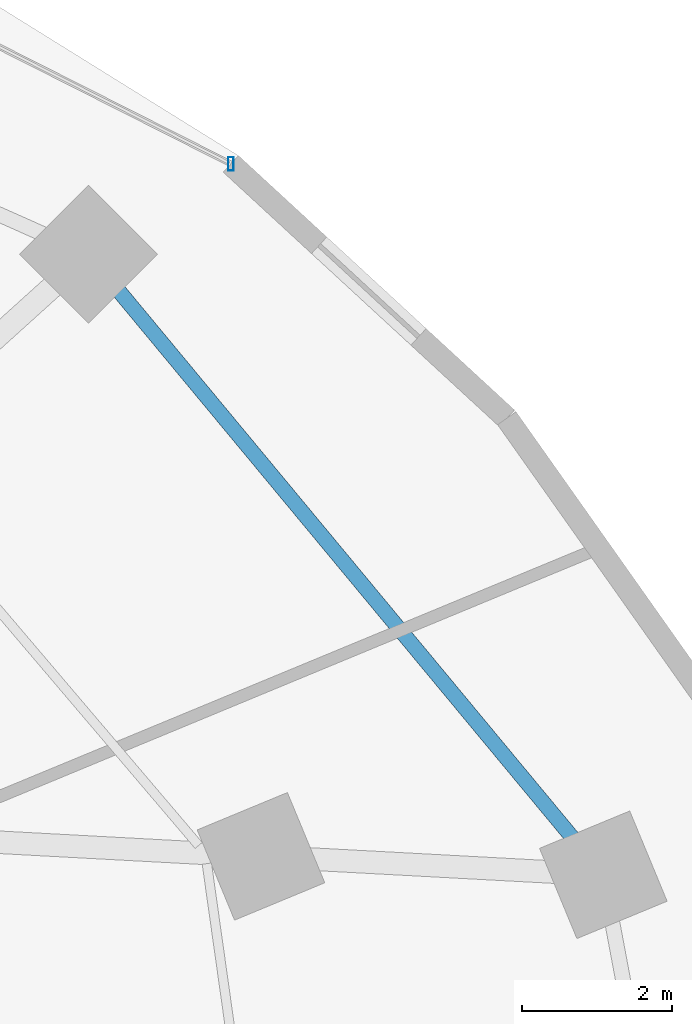
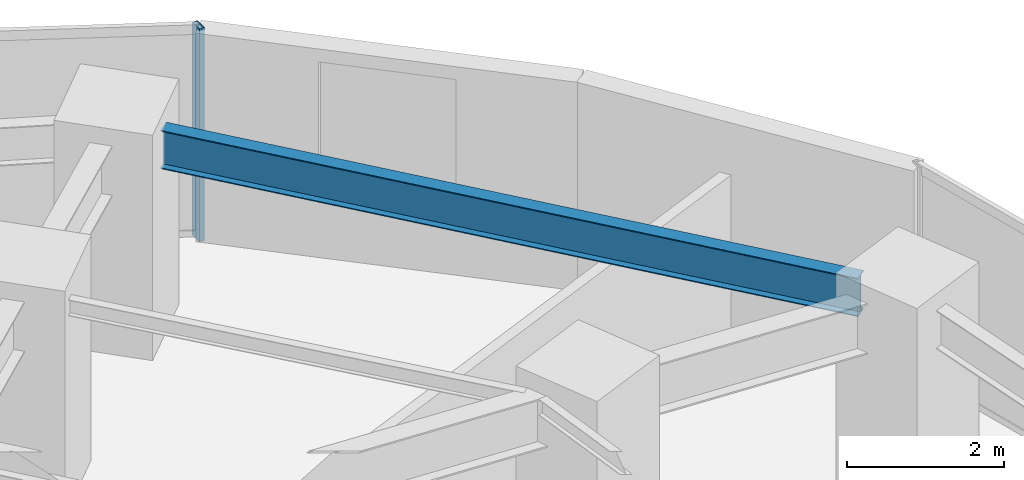
# One storey, part 25 of 35: 1 beam, 1 member, 1 element without a shape of its own.
"""IFC4 building model written with IfcOpenShell, lengths in metres."""

from ifc_helpers import new_model, si_unit, direction, frame, origin, origin_2d, place, context, subcontext, project, spatial, hollow_rectangle, i_section, extrude, material, material_profile, profile_set, type_object, element, aggregate, save


model = new_model("IFC4")

# Units and contexts
model_context = context("Model", 3, precision=1e-05, world=origin(), true_north=direction((0.0, 1.0)))
body_context = subcontext(model_context, "Body", "Model", "MODEL_VIEW")
ifc_project = project(units=[si_unit("LENGTHUNIT", "METRE"), si_unit("AREAUNIT", "SQUARE_METRE"), si_unit("VOLUMEUNIT", "CUBIC_METRE"), si_unit("PLANEANGLEUNIT", "RADIAN"), si_unit("MASSUNIT", "GRAM", prefix="KILO")], contexts=[model_context])

# Site, building, storey
site_placement = place(None, origin())
site = spatial("IfcSite", under=ifc_project, at=site_placement, CompositionType="ELEMENT")
building_placement = place(site_placement, origin())
building = spatial("IfcBuilding", under=site, at=building_placement, Name="Vorneva Point Tower", CompositionType="ELEMENT")
storey_placement = place(building_placement, frame((0.0, 0.0, 45.0)))
storey = spatial("IfcBuildingStorey", under=building, at=storey_placement, Name="L11", CompositionType="ELEMENT", Elevation=45.0)

# Beam
ifc_material_1 = material(Name="Steel S355", Category="steel")
ifc_material_profile_1 = material_profile(ifc_material_1, i_section(OverallWidth=0.198974609375, OverallDepth=0.595947265625, WebThickness=0.010009765625, FlangeThickness=0.014892578125, at=origin_2d()), Name="60B1")
ifc_profile_set_1 = profile_set([ifc_material_profile_1], Name="Steel S355")
beam_type = type_object("IfcBeamType", Name="BM-SPN-60B1", PredefinedType="SPANDREL", material=ifc_profile_set_1)
beam_placement = place(storey_placement, frame((63.448974609375, 32.825439453125, 2.94189453125), z_axis=(-0.638610485359, 0.769530147551, 0.0), x_axis=(-0.769530147551, -0.638610485359, 0.0)))
element("IfcBeam", 1, at=beam_placement, inside=storey, type_object=beam_type, Name="L11 Perimeter Spandrel Ring Beam 02", PredefinedType="SPANDREL", context=body_context, shape_type="SweptSolid", body=[
    extrude(i_section(OverallWidth=0.198974609375, OverallDepth=0.595947265625, WebThickness=0.010009765625, FlangeThickness=0.014892578125, at=origin_2d()), origin(), (0.0, 0.0, 1.0), 9.4677734375),
])

# Curtain wall, member
ifc_material_2 = material(Name="Pale anodised aluminium", Category="aluminium")
curtain_wall_type = type_object("IfcCurtainWallType", Name="CW-HTL-SYS", PredefinedType="NOTDEFINED", material=ifc_material_2)
curtain_wall_placement = place(storey_placement, origin())
curtain_wall = element("IfcCurtainWall", 2, at=curtain_wall_placement, inside=storey, type_object=curtain_wall_type, Name="L11 Unitised Curtain Wall CW-L11-R02", PredefinedType="NOTDEFINED")
ifc_material_profile_2 = material_profile(ifc_material_2, hollow_rectangle(XDim=0.074951171875, YDim=0.179931640625, WallThickness=0.00390625, at=origin_2d()), Name="AL-MUL 180x75x4")
ifc_profile_set_2 = profile_set([ifc_material_profile_2], Name="Pale anodised aluminium")
member_type = type_object("IfcMemberType", Name="CW-MUL-180", PredefinedType="MULLION", material=ifc_profile_set_2)
member_placement = place(storey_placement, frame((58.89501953125, 41.8037109375, -0.0400390625), z_axis=(0.0, 0.0, 1.0), x_axis=(1.0, 0.0, 0.0)))
member = element("IfcMember", 3, at=member_placement, type_object=member_type, Name="CW-L11-R02 Mullion 01", PredefinedType="MULLION", context=body_context, shape_type="SweptSolid", body=[
    extrude(hollow_rectangle(XDim=0.074951171875, YDim=0.179931640625, WallThickness=0.00390625, at=origin_2d()), origin(), (0.0, 0.0, 1.0), 3.31005859375),
])
aggregate(curtain_wall, [member])

save(model, "model.ifc")
